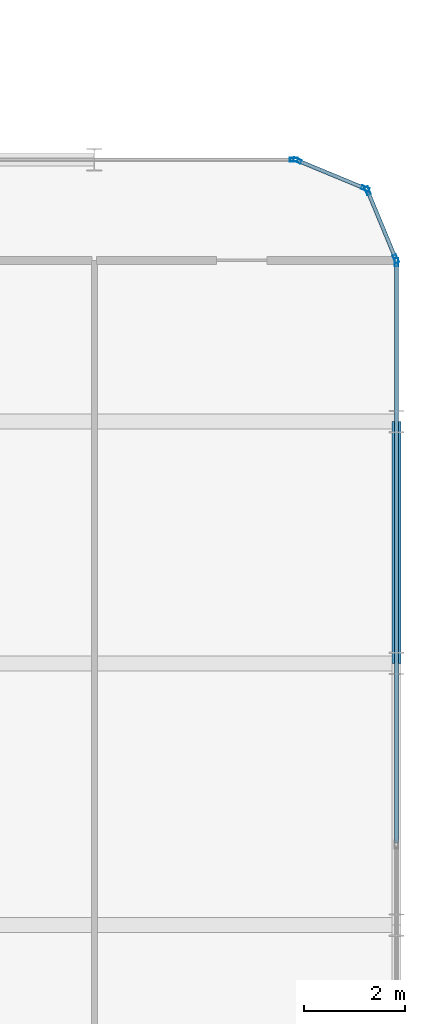
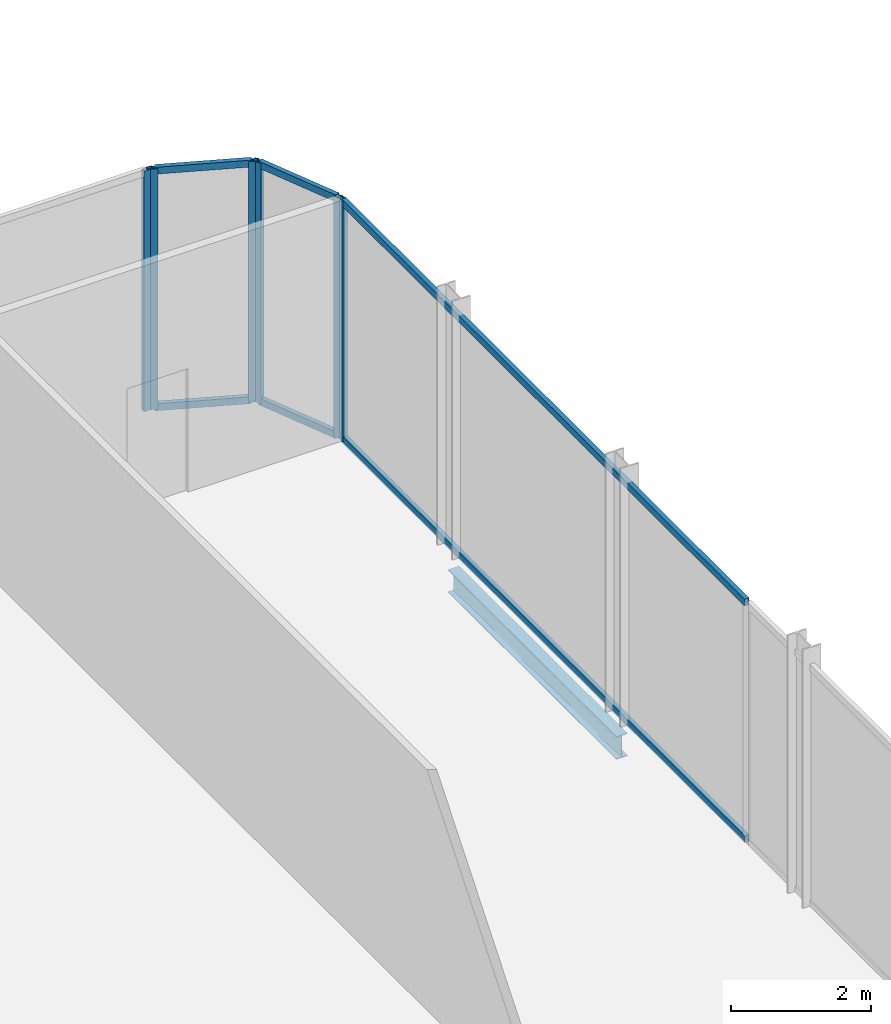
# One storey, part 17 of 31: 12 members, 1 beam, 4 elements without a shape of their own.
"""IFC4 building model written with IfcOpenShell, lengths in metres."""

import ifcopenshell
import ifcopenshell.guid

model = None  # the IFC model being written
_history = None  # IfcOwnerHistory: only IFC2X3 demands one
_inside = {}  # id of a spatial element -> (the spatial element, [elements in it])
_under = {}  # id of a project, library or spatial element -> (it, [spatial elements below it])
_declared = {}  # id of a project -> (the project, [libraries it declares])
_typed = {}  # id of a type object -> (the type object, [elements of that type])
_made_of = {}  # id of a material, layer set ... -> (it, [elements and type objects made of it])


def new_model(schema):
    """Start an empty IFC model of exactly this schema.

    Asked for "IFC4X3", IfcOpenShell would pick the latest addendum, in which some entities
    have other attributes; the version numbers below select the first issue.
    IFC2X3 requires an IfcOwnerHistory on every rooted entity: one is made here for all.
    """
    global model, _history
    if schema == "IFC4X3":
        model = ifcopenshell.file(schema_version=(4, 3, 0, 0))
    else:
        model = ifcopenshell.file(schema=schema)
    _inside.clear()
    _under.clear()
    _declared.clear()
    _typed.clear()
    _made_of.clear()
    _history = None
    if model.schema == "IFC2X3":
        org = make("IfcOrganization", Name="unknown")
        user = make(
            "IfcPersonAndOrganization",
            ThePerson=make("IfcPerson", FamilyName="unknown"),
            TheOrganization=org,
        )
        app = make(
            "IfcApplication",
            ApplicationDeveloper=org,
            Version="unknown",
            ApplicationFullName="unknown",
            ApplicationIdentifier="unknown",
        )
        _history = make(
            "IfcOwnerHistory",
            OwningUser=user,
            OwningApplication=app,
            ChangeAction="ADDED",
            CreationDate=0,
        )
    return model


def make(cls, **values):
    """One entity of the class cls with the attributes given. An attribute that is None is left unset."""
    return model.create_entity(
        cls, **{name: value for name, value in values.items() if value is not None}
    )


def rooted(cls, **values):
    """An entity with a GlobalId (a new one), such as an element, a storey or a relation."""
    return make(cls, GlobalId=ifcopenshell.guid.new(), OwnerHistory=_history, **values)


def si_unit(unit_type, name, prefix=None):
    """IfcSIUnit, for example si_unit("LENGTHUNIT", "METRE", prefix="MILLI")."""
    return make("IfcSIUnit", UnitType=unit_type, Prefix=prefix, Name=name)


def assignment(units):
    """IfcUnitAssignment: the units of a project."""
    return None if units is None else make("IfcUnitAssignment", Units=units)


def point(xyz):
    """IfcCartesianPoint."""
    return None if xyz is None else make("IfcCartesianPoint", Coordinates=xyz)


def direction(xyz):
    """IfcDirection."""
    return None if xyz is None else make("IfcDirection", DirectionRatios=xyz)


def frame(location, z_axis=None, x_axis=None):
    """IfcAxis2Placement3D, a coordinate frame: its origin and axes. An axis left out is left unset."""
    return make(
        "IfcAxis2Placement3D",
        Location=point(location),
        Axis=direction(z_axis),
        RefDirection=direction(x_axis),
    )


def frame_2d(location, x_axis=None):
    """IfcAxis2Placement2D, a coordinate frame in the plane: its origin and x axis."""
    return make(
        "IfcAxis2Placement2D", Location=point(location), RefDirection=direction(x_axis)
    )


def origin():
    """The frame at (0, 0, 0) with its axes left unset."""
    return frame((0.0, 0.0, 0.0))


def origin_2d():
    """The frame at (0, 0) in the plane with its x axis left unset."""
    return frame_2d((0.0, 0.0))


def place(relative_to, where):
    """IfcLocalPlacement: puts the frame where relative to a parent placement (None: the world)."""
    return make(
        "IfcLocalPlacement", PlacementRelTo=relative_to, RelativePlacement=where
    )


def context(
    kind, dimensions, precision=None, world=None, true_north=None, identifier=None
):
    """IfcGeometricRepresentationContext, for example the 3D "Model" context."""
    return make(
        "IfcGeometricRepresentationContext",
        ContextIdentifier=identifier,
        ContextType=kind,
        CoordinateSpaceDimension=dimensions,
        Precision=precision,
        WorldCoordinateSystem=world,
        TrueNorth=true_north,
    )


def subcontext(parent, identifier, kind, view, scale=None):
    """IfcGeometricRepresentationSubContext, for example "Body" below "Model"."""
    return make(
        "IfcGeometricRepresentationSubContext",
        ContextIdentifier=identifier,
        ContextType=kind,
        ParentContext=parent,
        TargetScale=scale,
        TargetView=view,
    )


def project(units=None, contexts=None):
    """IfcProject with its units and contexts."""
    return rooted(
        "IfcProject",
        Name="project",
        RepresentationContexts=contexts,
        UnitsInContext=assignment(units),
    )


def spatial(cls, under=None, at=None, **own):
    """A site, building, storey or space (cls), placed at a placement, below another one or the project."""
    s = rooted(cls, ObjectPlacement=at, **own)
    if under is not None:
        _under.setdefault(under.id(), (under, []))[1].append(s)
    return s


def profile(cls, at=None, kind="AREA", **sizes):
    """A parametric profile (cls). Its sizes go by their IFC names, for example OverallWidth=200.0."""
    return make(cls, ProfileType=kind, Position=at, **sizes)


def hollow_rectangle(**sizes):
    """IfcRectangleHollowProfileDef."""
    return profile("IfcRectangleHollowProfileDef", **sizes)


def i_section(**sizes):
    """IfcIShapeProfileDef."""
    return profile("IfcIShapeProfileDef", **sizes)


def extrude(swept, where, along, depth):
    """IfcExtrudedAreaSolid: the profile swept, set in the frame where, extruded along a direction by depth."""
    return make(
        "IfcExtrudedAreaSolid",
        SweptArea=swept,
        Position=where,
        ExtrudedDirection=direction(along),
        Depth=depth,
    )


def shape(context_of_items, identifier, shape_type, items):
    """IfcShapeRepresentation: the items that make up one representation, for example the "Body"."""
    return make(
        "IfcShapeRepresentation",
        ContextOfItems=context_of_items,
        RepresentationIdentifier=identifier,
        RepresentationType=shape_type,
        Items=items,
    )


def material(Name=None, Category=None):
    """IfcMaterial."""
    return make("IfcMaterial", Name=Name, Category=Category)


def layer(
    of_material, thickness, ventilated=None, Name=None, Category=None, Priority=None
):
    """IfcMaterialLayer: one layer of a wall or slab, of a material (None: an air gap)."""
    return make(
        "IfcMaterialLayer",
        Material=of_material,
        LayerThickness=thickness,
        IsVentilated=ventilated,
        Name=Name,
        Category=Category,
        Priority=Priority,
    )


def layer_set(layers, Name=None):
    """IfcMaterialLayerSet."""
    return make("IfcMaterialLayerSet", MaterialLayers=layers, LayerSetName=Name)


def material_profile(
    of_material, cross_section, Name=None, Category=None, Priority=None
):
    """IfcMaterialProfile: a cross section and its material."""
    return make(
        "IfcMaterialProfile",
        Name=Name,
        Material=of_material,
        Profile=cross_section,
        Priority=Priority,
        Category=Category,
    )


def profile_set(profiles, Name=None, composite=None):
    """IfcMaterialProfileSet."""
    return make(
        "IfcMaterialProfileSet",
        Name=Name,
        MaterialProfiles=profiles,
        CompositeProfile=composite,
    )


def made_of(thing, what):
    """Note that an element or type object is made of a material, layer set ...; save() writes the relation."""
    if what is not None:
        _made_of.setdefault(what.id(), (what, []))[1].append(thing)
    return thing


def type_object(cls, material=None, **own):
    """A type object (cls), such as IfcWallType, which elements share."""
    return made_of(rooted(cls, **own), material)


def element(
    cls,
    number,
    at=None,
    inside=None,
    cuts=None,
    type_object=None,
    material=None,
    context=None,
    identifier="Body",
    shape_type=None,
    held_by="IfcProductDefinitionShape",
    body=None,
    shapes=None,
    **own,
):
    """One element of the class cls, such as IfcWall. Its Tag is "e" and its number.

    at: its placement. inside: the storey or other place that contains it. cuts: it is an
    opening in that element (IfcRelVoidsElement). A single representation is given by context,
    identifier, shape_type and body (its items); several are given by shapes. held_by: the class
    of the entity that holds the representations. save() writes the other relations.
    """
    e = rooted(cls, Tag="e%d" % number, ObjectPlacement=at, **own)
    if body is not None:
        shapes = [shape(context, identifier, shape_type, body)]
    if shapes is not None:
        e.Representation = make(held_by, Representations=shapes)
    if inside is not None:
        _inside.setdefault(inside.id(), (inside, []))[1].append(e)
    if cuts is not None:
        rooted(
            "IfcRelVoidsElement", RelatingBuildingElement=cuts, RelatedOpeningElement=e
        )
    if type_object is not None:
        _typed.setdefault(type_object.id(), (type_object, []))[1].append(e)
    return made_of(e, material)


def aggregate(whole, parts):
    """IfcRelAggregates: a whole, such as a stair, and the parts it consists of."""
    return rooted("IfcRelAggregates", RelatingObject=whole, RelatedObjects=parts)


def save(model, path):
    """Write the relations noted so far, then the file.

    IfcRelAggregates (storeys below a building ...), IfcRelContainedInSpatialStructure (elements
    in a storey), IfcRelDefinesByType, IfcRelAssociatesMaterial and IfcRelDeclares: one each for
    every whole, place, type object, material and project.
    """
    for whole, parts in _under.values():
        aggregate(whole, parts)
    for where, things in _inside.values():
        rooted(
            "IfcRelContainedInSpatialStructure",
            RelatedElements=things,
            RelatingStructure=where,
        )
    for kind, things in _typed.values():
        rooted("IfcRelDefinesByType", RelatedObjects=things, RelatingType=kind)
    for what, things in _made_of.values():
        rooted("IfcRelAssociatesMaterial", RelatedObjects=things, RelatingMaterial=what)
    for by, libraries in _declared.values():
        rooted("IfcRelDeclares", RelatingContext=by, RelatedDefinitions=libraries)
    model.write(path)


model = new_model("IFC4")

# Units and contexts
model_context = context("Model", 3, precision=1e-05, world=origin(), true_north=direction((0.0, 1.0)))
body_context = subcontext(model_context, "Body", "Model", "MODEL_VIEW")
ifc_project = project(units=[si_unit("LENGTHUNIT", "METRE"), si_unit("AREAUNIT", "SQUARE_METRE"), si_unit("VOLUMEUNIT", "CUBIC_METRE"), si_unit("PLANEANGLEUNIT", "RADIAN"), si_unit("MASSUNIT", "GRAM", prefix="KILO")], contexts=[model_context])

# Site, building, storey
site_placement = place(None, origin())
site = spatial("IfcSite", under=ifc_project, at=site_placement, CompositionType="ELEMENT")
building_placement = place(site_placement, origin())
building = spatial("IfcBuilding", under=site, at=building_placement, Name="Keshet Zoharim Tower", CompositionType="ELEMENT")
storey_placement = place(building_placement, frame((0.0, 0.0, 183.89990234375)))
storey = spatial("IfcBuildingStorey", under=building, at=storey_placement, Name="L45", CompositionType="ELEMENT", Elevation=183.89990234375)

# Beam
ifc_material_1 = material(Name="Steel S355", Category="steel")
ifc_material_profile_1 = material_profile(ifc_material_1, i_section(OverallWidth=0.179931640625, OverallDepth=0.39990234375, WebThickness=0.008544921875, FlangeThickness=0.013427734375, FilletRadius=0.02099609375, at=origin_2d()), Name="IPE400")
ifc_profile_set_1 = profile_set([ifc_material_profile_1], Name="Steel S355")
beam_type = type_object("IfcBeamType", Name="BM-PRI-IP400", PredefinedType="BEAM", material=ifc_profile_set_1)
beam_placement = place(storey_placement, frame((57.0, 17.89990234375, -0.52001953125), z_axis=(0.0, 1.0, 0.0), x_axis=(-1.0, 0.0, 0.0)))
element("IfcBeam", 1, at=beam_placement, inside=storey, type_object=beam_type, Name="L45 Primary Girder Y-015", PredefinedType="BEAM", context=body_context, shape_type="SweptSolid", body=[
    extrude(i_section(OverallWidth=0.179931640625, OverallDepth=0.39990234375, WebThickness=0.008544921875, FlangeThickness=0.013427734375, FilletRadius=0.02099609375, at=origin_2d()), origin(), (0.0, 0.0, 1.0), 4.800048828125),
])

# Curtain wall, member
ifc_material_2 = material(Name="Aluminium 6063-T6", Category="aluminium")
ifc_layer = layer(ifc_material_2, 0.139892578125)
ifc_layer_set = layer_set([ifc_layer], Name="Aluminium 6063-T6")
curtain_wall_type = type_object("IfcCurtainWallType", Name="CW-SYS-05", PredefinedType="NOTDEFINED", material=ifc_layer_set)
curtain_wall_1_placement = place(storey_placement, origin())
curtain_wall_1 = element("IfcCurtainWall", 2, at=curtain_wall_1_placement, inside=storey, type_object=curtain_wall_type, Name="L45 Unitised Curtain Wall 05 Part 2", PredefinedType="NOTDEFINED")
ifc_material_profile_2 = material_profile(ifc_material_2, hollow_rectangle(XDim=0.074951171875, YDim=0.159912109375, WallThickness=0.00390625, at=origin_2d()), Name="MUL-75x160")
ifc_profile_set_2 = profile_set([ifc_material_profile_2], Name="Aluminium 6063-T6")
member_type_1 = type_object("IfcMemberType", Name="CWM-M15", PredefinedType="MULLION", material=ifc_profile_set_2)
member_1_placement = place(storey_placement, frame((54.965087890625, 27.89990234375, 0.0), z_axis=(0.0, 0.0, 1.0), x_axis=(0.0, 1.0, 0.0)))
member_1 = element("IfcMember", 3, at=member_1_placement, type_object=member_type_1, Name="CW-05 mullion 2", PredefinedType="MULLION", context=body_context, shape_type="SweptSolid", body=[
    extrude(hollow_rectangle(XDim=0.074951171875, YDim=0.159912109375, WallThickness=0.00390625, at=origin_2d()), origin(), (0.0, 0.0, 1.0), 4.190185546875),
])
aggregate(curtain_wall_1, [member_1])

# Curtain wall, members
curtain_wall_2_placement = place(storey_placement, origin())
curtain_wall_2 = element("IfcCurtainWall", 4, at=curtain_wall_2_placement, inside=storey, type_object=curtain_wall_type, Name="L45 Unitised Curtain Wall 06", PredefinedType="NOTDEFINED")
member_2_placement = place(storey_placement, frame((55.0322265625, 27.88671875, 0.0), z_axis=(0.0, 0.0, 1.0), x_axis=(0.382851849847, 0.92380975372, 0.0)))
member_2 = element("IfcMember", 5, at=member_2_placement, type_object=member_type_1, Name="CW-05 mullion 1", PredefinedType="MULLION", context=body_context, shape_type="SweptSolid", body=[
    extrude(hollow_rectangle(XDim=0.074951171875, YDim=0.159912109375, WallThickness=0.00390625, at=origin_2d()), origin(), (0.0, 0.0, 1.0), 4.190185546875),
])
member_3_placement = place(storey_placement, frame((56.381591796875, 27.327392578125, 0.0), z_axis=(0.0, 0.0, 1.0), x_axis=(0.382851849847, 0.92380975372, 0.0)))
member_3 = element("IfcMember", 6, at=member_3_placement, type_object=member_type_1, Name="CW-05 mullion 2", PredefinedType="MULLION", context=body_context, shape_type="SweptSolid", body=[
    extrude(hollow_rectangle(XDim=0.074951171875, YDim=0.159912109375, WallThickness=0.00390625, at=origin_2d()), origin(), (0.0, 0.0, 1.0), 4.190185546875),
])

curtain_wall_3_placement = place(storey_placement, origin())
curtain_wall_3 = element("IfcCurtainWall", 7, at=curtain_wall_3_placement, inside=storey, type_object=curtain_wall_type, Name="L45 Unitised Curtain Wall 07", PredefinedType="NOTDEFINED")
member_4_placement = place(storey_placement, frame((56.427490234375, 27.28173828125, 0.0), z_axis=(0.0, 0.0, 1.0), x_axis=(0.92380975372, 0.382851849847, 0.0)))
member_4 = element("IfcMember", 8, at=member_4_placement, type_object=member_type_1, Name="CW-05 mullion 1", PredefinedType="MULLION", context=body_context, shape_type="SweptSolid", body=[
    extrude(hollow_rectangle(XDim=0.074951171875, YDim=0.159912109375, WallThickness=0.00390625, at=origin_2d()), origin(), (0.0, 0.0, 1.0), 4.190185546875),
])
member_5_placement = place(storey_placement, frame((56.986572265625, 25.932373046875, 0.0), z_axis=(0.0, 0.0, 1.0), x_axis=(0.92380975372, 0.382851849847, 0.0)))
member_5 = element("IfcMember", 9, at=member_5_placement, type_object=member_type_1, Name="CW-05 mullion 2", PredefinedType="MULLION", context=body_context, shape_type="SweptSolid", body=[
    extrude(hollow_rectangle(XDim=0.074951171875, YDim=0.159912109375, WallThickness=0.00390625, at=origin_2d()), origin(), (0.0, 0.0, 1.0), 4.190185546875),
])

# Curtain wall, member
curtain_wall_4_placement = place(storey_placement, origin())
curtain_wall_4 = element("IfcCurtainWall", 10, at=curtain_wall_4_placement, inside=storey, type_object=curtain_wall_type, Name="L45 Unitised Curtain Wall 08", PredefinedType="NOTDEFINED")
member_6_placement = place(storey_placement, frame((57.0, 25.864990234375, 0.0), z_axis=(0.0, 0.0, 1.0), x_axis=(1.0, 0.0, 0.0)))
member_6 = element("IfcMember", 11, at=member_6_placement, type_object=member_type_1, Name="CW-05 mullion 1", PredefinedType="MULLION", context=body_context, shape_type="SweptSolid", body=[
    extrude(hollow_rectangle(XDim=0.074951171875, YDim=0.159912109375, WallThickness=0.00390625, at=origin_2d()), origin(), (0.0, 0.0, 1.0), 4.190185546875),
])

# Member
ifc_material_profile_3 = material_profile(ifc_material_2, hollow_rectangle(XDim=0.074951171875, YDim=0.1201171875, WallThickness=0.00390625, at=origin_2d()), Name="TRN-75x120")
ifc_profile_set_3 = profile_set([ifc_material_profile_3], Name="Aluminium 6063-T6")
member_type_2 = type_object("IfcMemberType", Name="CWT-T12", PredefinedType="USERDEFINED", material=ifc_profile_set_3)
member_7_placement = place(storey_placement, frame((55.064697265625, 27.873291015625, 0.03515625), z_axis=(0.92379209995, -0.382894445076, 0.0), x_axis=(0.382894445076, 0.92379209995, 0.0)))
member_7 = element("IfcMember", 12, at=member_7_placement, type_object=member_type_2, Name="CW-05 transom 1.1", ObjectType="TRANSOM", PredefinedType="USERDEFINED", context=body_context, shape_type="SweptSolid", body=[
    extrude(hollow_rectangle(XDim=0.074951171875, YDim=0.1201171875, WallThickness=0.00390625, at=origin_2d()), origin(), (0.0, 0.0, 1.0), 1.390625),
])

member_8_placement = place(storey_placement, frame((55.064697265625, 27.873291015625, 4.155029296875), z_axis=(0.92379209995, -0.382894445076, 0.0), x_axis=(0.382894445076, 0.92379209995, 0.0)))
member_8 = element("IfcMember", 13, at=member_8_placement, type_object=member_type_2, Name="CW-05 transom 1.2", ObjectType="TRANSOM", PredefinedType="USERDEFINED", context=body_context, shape_type="SweptSolid", body=[
    extrude(hollow_rectangle(XDim=0.074951171875, YDim=0.1201171875, WallThickness=0.00390625, at=origin_2d()), origin(), (0.0, 0.0, 1.0), 1.390625),
])

aggregate(curtain_wall_2, [member_2, member_3, member_7, member_8])

member_9_placement = place(storey_placement, frame((56.44091796875, 27.249267578125, 0.03515625), z_axis=(0.382744609247, -0.923854189844, 0.0), x_axis=(0.923854189844, 0.382744609247, 0.0)))
member_9 = element("IfcMember", 14, at=member_9_placement, type_object=member_type_2, Name="CW-05 transom 1.1", ObjectType="TRANSOM", PredefinedType="USERDEFINED", context=body_context, shape_type="SweptSolid", body=[
    extrude(hollow_rectangle(XDim=0.074951171875, YDim=0.1201171875, WallThickness=0.00390625, at=origin_2d()), origin(), (0.0, 0.0, 1.0), 1.390625),
])

member_10_placement = place(storey_placement, frame((56.44091796875, 27.249267578125, 4.155029296875), z_axis=(0.382744609247, -0.923854189844, 0.0), x_axis=(0.923854189844, 0.382744609247, 0.0)))
member_10 = element("IfcMember", 15, at=member_10_placement, type_object=member_type_2, Name="CW-05 transom 1.2", ObjectType="TRANSOM", PredefinedType="USERDEFINED", context=body_context, shape_type="SweptSolid", body=[
    extrude(hollow_rectangle(XDim=0.074951171875, YDim=0.1201171875, WallThickness=0.00390625, at=origin_2d()), origin(), (0.0, 0.0, 1.0), 1.390625),
])

aggregate(curtain_wall_3, [member_4, member_5, member_9, member_10])

member_11_placement = place(storey_placement, frame((57.0, 25.830078125, 0.03515625), z_axis=(0.0, -1.0, 0.0), x_axis=(1.0, 0.0, 0.0)))
member_11 = element("IfcMember", 16, at=member_11_placement, type_object=member_type_2, Name="CW-05 transom 1.1", ObjectType="TRANSOM", PredefinedType="USERDEFINED", context=body_context, shape_type="SweptSolid", body=[
    extrude(hollow_rectangle(XDim=0.074951171875, YDim=0.1201171875, WallThickness=0.00390625, at=origin_2d()), origin(), (0.0, 0.0, 1.0), 11.4951171875),
])

member_12_placement = place(storey_placement, frame((57.0, 25.830078125, 4.155029296875), z_axis=(0.0, -1.0, 0.0), x_axis=(1.0, 0.0, 0.0)))
member_12 = element("IfcMember", 17, at=member_12_placement, type_object=member_type_2, Name="CW-05 transom 1.2", ObjectType="TRANSOM", PredefinedType="USERDEFINED", context=body_context, shape_type="SweptSolid", body=[
    extrude(hollow_rectangle(XDim=0.074951171875, YDim=0.1201171875, WallThickness=0.00390625, at=origin_2d()), origin(), (0.0, 0.0, 1.0), 11.4951171875),
])

aggregate(curtain_wall_4, [member_6, member_11, member_12])

save(model, "model.ifc")
